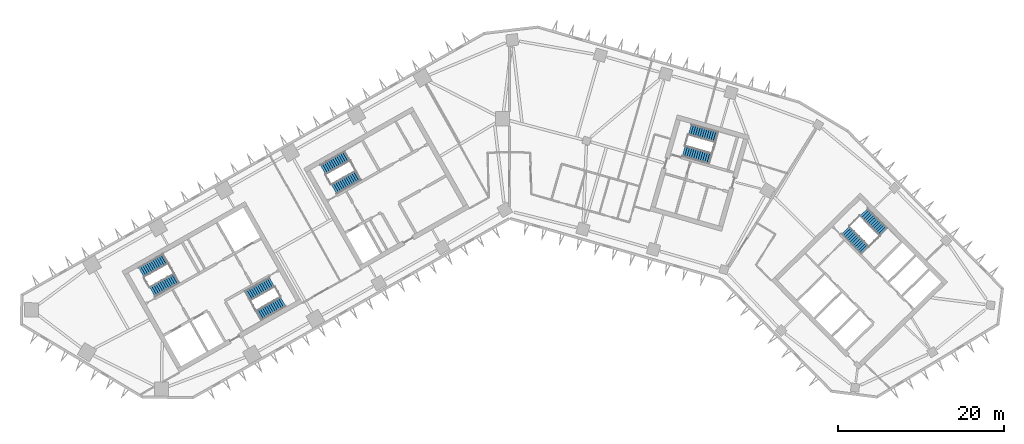
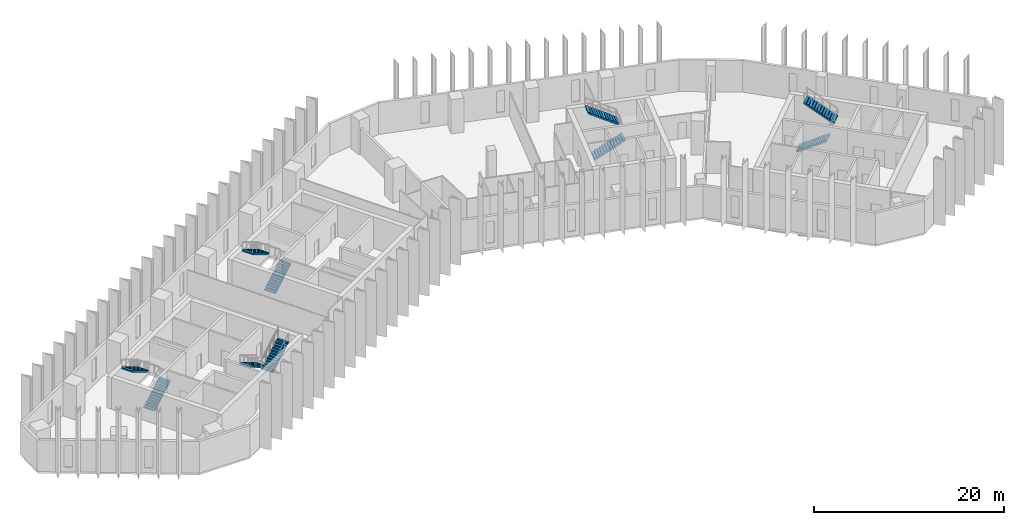
# One storey, part 8 of 11: 10 stair flights, 5 elements without a shape of their own.
"""IFC4 building model written with IfcOpenShell, lengths in metres."""

from ifc_helpers import new_model, si_unit, direction, frame, origin, place, context, subcontext, project, spatial, polyline, outline, extrude, material, type_object, element, aggregate, save


model = new_model("IFC4")

# Units and contexts
model_context = context("Model", 3, precision=1e-05, world=origin(), true_north=direction((0.0, 1.0)))
body_context = subcontext(model_context, "Body", "Model", "MODEL_VIEW")
ifc_project = project(units=[si_unit("LENGTHUNIT", "METRE"), si_unit("AREAUNIT", "SQUARE_METRE"), si_unit("VOLUMEUNIT", "CUBIC_METRE"), si_unit("PLANEANGLEUNIT", "RADIAN"), si_unit("MASSUNIT", "GRAM", prefix="KILO")], contexts=[model_context])

# Site, building, storey
site_placement = place(None, origin())
site = spatial("IfcSite", under=ifc_project, at=site_placement, CompositionType="ELEMENT")
building_placement = place(site_placement, origin())
building = spatial("IfcBuilding", under=site, at=building_placement, Name="Binnacle Exchange Tower", CompositionType="ELEMENT")
storey_placement = place(building_placement, frame((0.0, 0.0, 97.10009765625)))
storey = spatial("IfcBuildingStorey", under=building, at=storey_placement, Name="L19", CompositionType="ELEMENT", Elevation=97.10009765625)

# Stair, stair flights
ifc_material = material(Name="Concrete C35/45", Category="concrete")
stair_type = type_object("IfcStairType", Name="STAIR 26 RISERS 169", PredefinedType="HALF_TURN_STAIR", material=ifc_material)
stair_1_placement = place(storey_placement, origin())
stair_1 = element("IfcStair", 1, at=stair_1_placement, inside=storey, type_object=stair_type, Name="L19 Escape stair A1", PredefinedType="HALF_TURN_STAIR")
stair_flight_type = type_object("IfcStairFlightType", Name="STAIR FLIGHT 169X280", PredefinedType="STRAIGHT", material=ifc_material)
stair_flight_1_placement = place(storey_placement, frame((-42.9541015625, 39.17333984375, 0.0), z_axis=(0.0, 0.0, 1.0), x_axis=(0.870355584213, 0.492423757581, 0.0)))
stair_flight_1 = element("IfcStairFlight", 2, at=stair_flight_1_placement, type_object=stair_flight_type, Name="STA1 flight 1", NumberOfRisers=13, NumberOfTreads=12, PredefinedType="STRAIGHT", RiserHeight=0.169230769, TreadLength=0.28, context=body_context, shape_type="SweptSolid", body=[
    extrude(outline(polyline([(0.0, 0.0), (0.0, 0.169189453125), (0.280029296875, 0.169189453125), (0.280029296875, 0.33837890625), (0.56005859375, 0.33837890625), (0.56005859375, 0.5078125), (0.840087890625, 0.5078125), (0.840087890625, 0.677001953125), (1.1201171875, 0.677001953125), (1.1201171875, 0.84619140625), (1.39990234375, 0.84619140625), (1.39990234375, 1.015380859375), (1.679931640625, 1.015380859375), (1.679931640625, 1.1845703125), (1.9599609375, 1.1845703125), (1.9599609375, 1.353759765625), (2.239990234375, 1.353759765625), (2.239990234375, 1.523193359375), (2.52001953125, 1.523193359375), (2.52001953125, 1.6923828125), (2.800048828125, 1.6923828125), (2.800048828125, 1.861572265625), (3.080078125, 1.861572265625), (3.080078125, 2.03076171875), (3.360107421875, 2.03076171875), (3.360107421875, 2.199951171875), (3.360107421875, 1.855712890625), (0.289794921875, 0.0), (0.0, 0.0)])), frame((0.0, 0.675048828125, 0.0), z_axis=(0.0, -1.0, 0.0), x_axis=(1.0, 0.0, 0.0)), (0.0, 0.0, 1.0), 1.35009765625),
])
stair_flight_2_placement = place(storey_placement, frame((-41.359130859375, 43.177978515625, 2.199951171875), z_axis=(0.0, 0.0, 1.0), x_axis=(-0.870355584213, -0.492423757581, 0.0)))
stair_flight_2 = element("IfcStairFlight", 3, at=stair_flight_2_placement, type_object=stair_flight_type, Name="STA1 flight 2", NumberOfRisers=13, NumberOfTreads=12, PredefinedType="STRAIGHT", RiserHeight=0.169230769, TreadLength=0.28, context=body_context, shape_type="SweptSolid", body=[
    extrude(outline(polyline([(0.0, 0.0), (0.0, 0.169189453125), (0.280029296875, 0.169189453125), (0.280029296875, 0.33837890625), (0.56005859375, 0.33837890625), (0.56005859375, 0.5078125), (0.840087890625, 0.5078125), (0.840087890625, 0.677001953125), (1.1201171875, 0.677001953125), (1.1201171875, 0.84619140625), (1.39990234375, 0.84619140625), (1.39990234375, 1.015380859375), (1.679931640625, 1.015380859375), (1.679931640625, 1.1845703125), (1.9599609375, 1.1845703125), (1.9599609375, 1.353759765625), (2.239990234375, 1.353759765625), (2.239990234375, 1.523193359375), (2.52001953125, 1.523193359375), (2.52001953125, 1.6923828125), (2.800048828125, 1.6923828125), (2.800048828125, 1.861572265625), (3.080078125, 1.861572265625), (3.080078125, 2.03076171875), (3.360107421875, 2.03076171875), (3.360107421875, 2.199951171875), (3.360107421875, 1.855712890625), (0.289794921875, 0.0), (0.0, 0.0)])), frame((0.0, 0.675048828125, 0.0), z_axis=(0.0, -1.0, 0.0), x_axis=(1.0, 0.0, 0.0)), (0.0, 0.0, 1.0), 1.35009765625),
])
aggregate(stair_1, [stair_flight_1, stair_flight_2])

stair_2_placement = place(storey_placement, origin())
stair_2 = element("IfcStair", 4, at=stair_2_placement, inside=storey, type_object=stair_type, Name="L19 Escape stair A2", PredefinedType="HALF_TURN_STAIR")
stair_flight_3_placement = place(storey_placement, frame((-28.5732421875, 40.3583984375, 0.0), z_axis=(0.0, 0.0, 1.0), x_axis=(-0.870355584213, -0.492423757581, 0.0)))
stair_flight_3 = element("IfcStairFlight", 5, at=stair_flight_3_placement, type_object=stair_flight_type, Name="STA2 flight 1", NumberOfRisers=13, NumberOfTreads=12, PredefinedType="STRAIGHT", RiserHeight=0.169230769, TreadLength=0.28, context=body_context, shape_type="SweptSolid", body=[
    extrude(outline(polyline([(0.0, 0.0), (0.0, 0.169189453125), (0.280029296875, 0.169189453125), (0.280029296875, 0.33837890625), (0.56005859375, 0.33837890625), (0.56005859375, 0.5078125), (0.840087890625, 0.5078125), (0.840087890625, 0.677001953125), (1.1201171875, 0.677001953125), (1.1201171875, 0.84619140625), (1.39990234375, 0.84619140625), (1.39990234375, 1.015380859375), (1.679931640625, 1.015380859375), (1.679931640625, 1.1845703125), (1.9599609375, 1.1845703125), (1.9599609375, 1.353759765625), (2.239990234375, 1.353759765625), (2.239990234375, 1.523193359375), (2.52001953125, 1.523193359375), (2.52001953125, 1.6923828125), (2.800048828125, 1.6923828125), (2.800048828125, 1.861572265625), (3.080078125, 1.861572265625), (3.080078125, 2.03076171875), (3.360107421875, 2.03076171875), (3.360107421875, 2.199951171875), (3.360107421875, 1.855712890625), (0.289794921875, 0.0), (0.0, 0.0)])), frame((0.0, 0.675048828125, 0.0), z_axis=(0.0, -1.0, 0.0), x_axis=(1.0, 0.0, 0.0)), (0.0, 0.0, 1.0), 1.35009765625),
])
stair_flight_4_placement = place(storey_placement, frame((-30.16796875, 36.35400390625, 2.199951171875), z_axis=(0.0, 0.0, 1.0), x_axis=(0.870355584213, 0.492423757581, 0.0)))
stair_flight_4 = element("IfcStairFlight", 6, at=stair_flight_4_placement, type_object=stair_flight_type, Name="STA2 flight 2", NumberOfRisers=13, NumberOfTreads=12, PredefinedType="STRAIGHT", RiserHeight=0.169230769, TreadLength=0.28, context=body_context, shape_type="SweptSolid", body=[
    extrude(outline(polyline([(0.0, 0.0), (0.0, 0.169189453125), (0.280029296875, 0.169189453125), (0.280029296875, 0.33837890625), (0.56005859375, 0.33837890625), (0.56005859375, 0.5078125), (0.840087890625, 0.5078125), (0.840087890625, 0.677001953125), (1.1201171875, 0.677001953125), (1.1201171875, 0.84619140625), (1.39990234375, 0.84619140625), (1.39990234375, 1.015380859375), (1.679931640625, 1.015380859375), (1.679931640625, 1.1845703125), (1.9599609375, 1.1845703125), (1.9599609375, 1.353759765625), (2.239990234375, 1.353759765625), (2.239990234375, 1.523193359375), (2.52001953125, 1.523193359375), (2.52001953125, 1.6923828125), (2.800048828125, 1.6923828125), (2.800048828125, 1.861572265625), (3.080078125, 1.861572265625), (3.080078125, 2.03076171875), (3.360107421875, 2.03076171875), (3.360107421875, 2.199951171875), (3.360107421875, 1.855712890625), (0.289794921875, 0.0), (0.0, 0.0)])), frame((0.0, 0.675048828125, 0.0), z_axis=(0.0, -1.0, 0.0), x_axis=(1.0, 0.0, 0.0)), (0.0, 0.0, 1.0), 1.35009765625),
])
aggregate(stair_2, [stair_flight_3, stair_flight_4])

stair_3_placement = place(storey_placement, origin())
stair_3 = element("IfcStair", 7, at=stair_3_placement, inside=storey, type_object=stair_type, Name="L19 Escape stair B1", PredefinedType="HALF_TURN_STAIR")
stair_flight_5_placement = place(storey_placement, frame((40.376708984375, 46.608642578125, 0.0), z_axis=(0.0, 0.0, 1.0), x_axis=(0.70090935144, -0.713250363522, 0.0)))
stair_flight_5 = element("IfcStairFlight", 8, at=stair_flight_5_placement, type_object=stair_flight_type, Name="STB1 flight 1", NumberOfRisers=13, NumberOfTreads=12, PredefinedType="STRAIGHT", RiserHeight=0.169230769, TreadLength=0.28, context=body_context, shape_type="SweptSolid", body=[
    extrude(outline(polyline([(0.0, 0.0), (0.0, 0.169189453125), (0.280029296875, 0.169189453125), (0.280029296875, 0.33837890625), (0.56005859375, 0.33837890625), (0.56005859375, 0.5078125), (0.840087890625, 0.5078125), (0.840087890625, 0.677001953125), (1.1201171875, 0.677001953125), (1.1201171875, 0.84619140625), (1.39990234375, 0.84619140625), (1.39990234375, 1.015380859375), (1.679931640625, 1.015380859375), (1.679931640625, 1.1845703125), (1.9599609375, 1.1845703125), (1.9599609375, 1.353759765625), (2.239990234375, 1.353759765625), (2.239990234375, 1.523193359375), (2.52001953125, 1.523193359375), (2.52001953125, 1.6923828125), (2.800048828125, 1.6923828125), (2.800048828125, 1.861572265625), (3.080078125, 1.861572265625), (3.080078125, 2.03076171875), (3.360107421875, 2.03076171875), (3.360107421875, 2.199951171875), (3.360107421875, 1.855712890625), (0.289794921875, 0.0), (0.0, 0.0)])), frame((0.0, 0.675048828125, 0.0), z_axis=(0.0, -1.0, 0.0), x_axis=(1.0, 0.0, 0.0)), (0.0, 0.0, 1.0), 1.35009765625),
])
stair_flight_6_placement = place(storey_placement, frame((44.94287109375, 46.385009765625, 2.199951171875), z_axis=(0.0, 0.0, 1.0), x_axis=(-0.70090935144, 0.713250363522, 0.0)))
stair_flight_6 = element("IfcStairFlight", 9, at=stair_flight_6_placement, type_object=stair_flight_type, Name="STB1 flight 2", NumberOfRisers=13, NumberOfTreads=12, PredefinedType="STRAIGHT", RiserHeight=0.169230769, TreadLength=0.28, context=body_context, shape_type="SweptSolid", body=[
    extrude(outline(polyline([(0.0, 0.0), (0.0, 0.169189453125), (0.280029296875, 0.169189453125), (0.280029296875, 0.33837890625), (0.56005859375, 0.33837890625), (0.56005859375, 0.5078125), (0.840087890625, 0.5078125), (0.840087890625, 0.677001953125), (1.1201171875, 0.677001953125), (1.1201171875, 0.84619140625), (1.39990234375, 0.84619140625), (1.39990234375, 1.015380859375), (1.679931640625, 1.015380859375), (1.679931640625, 1.1845703125), (1.9599609375, 1.1845703125), (1.9599609375, 1.353759765625), (2.239990234375, 1.353759765625), (2.239990234375, 1.523193359375), (2.52001953125, 1.523193359375), (2.52001953125, 1.6923828125), (2.800048828125, 1.6923828125), (2.800048828125, 1.861572265625), (3.080078125, 1.861572265625), (3.080078125, 2.03076171875), (3.360107421875, 2.03076171875), (3.360107421875, 2.199951171875), (3.360107421875, 1.855712890625), (0.289794921875, 0.0), (0.0, 0.0)])), frame((0.0, 0.675048828125, 0.0), z_axis=(0.0, -1.0, 0.0), x_axis=(1.0, 0.0, 0.0)), (0.0, 0.0, 1.0), 1.35009765625),
])
aggregate(stair_3, [stair_flight_5, stair_flight_6])

stair_4_placement = place(storey_placement, origin())
stair_4 = element("IfcStair", 10, at=stair_4_placement, inside=storey, type_object=stair_type, Name="L19 Escape stair C1", PredefinedType="HALF_TURN_STAIR")
stair_flight_7_placement = place(storey_placement, frame((-21.115966796875, 51.528564453125, 0.0), z_axis=(0.0, 0.0, 1.0), x_axis=(0.870355584213, 0.492423757581, 0.0)))
stair_flight_7 = element("IfcStairFlight", 11, at=stair_flight_7_placement, type_object=stair_flight_type, Name="STC1 flight 1", NumberOfRisers=13, NumberOfTreads=12, PredefinedType="STRAIGHT", RiserHeight=0.169230769, TreadLength=0.28, context=body_context, shape_type="SweptSolid", body=[
    extrude(outline(polyline([(0.0, 0.0), (0.0, 0.169189453125), (0.280029296875, 0.169189453125), (0.280029296875, 0.33837890625), (0.56005859375, 0.33837890625), (0.56005859375, 0.5078125), (0.840087890625, 0.5078125), (0.840087890625, 0.677001953125), (1.1201171875, 0.677001953125), (1.1201171875, 0.84619140625), (1.39990234375, 0.84619140625), (1.39990234375, 1.015380859375), (1.679931640625, 1.015380859375), (1.679931640625, 1.1845703125), (1.9599609375, 1.1845703125), (1.9599609375, 1.353759765625), (2.239990234375, 1.353759765625), (2.239990234375, 1.523193359375), (2.52001953125, 1.523193359375), (2.52001953125, 1.6923828125), (2.800048828125, 1.6923828125), (2.800048828125, 1.861572265625), (3.080078125, 1.861572265625), (3.080078125, 2.03076171875), (3.360107421875, 2.03076171875), (3.360107421875, 2.199951171875), (3.360107421875, 1.855712890625), (0.289794921875, 0.0), (0.0, 0.0)])), frame((0.0, 0.675048828125, 0.0), z_axis=(0.0, -1.0, 0.0), x_axis=(1.0, 0.0, 0.0)), (0.0, 0.0, 1.0), 1.35009765625),
])
stair_flight_8_placement = place(storey_placement, frame((-19.521240234375, 55.533203125, 2.199951171875), z_axis=(0.0, 0.0, 1.0), x_axis=(-0.870355584213, -0.492423757581, 0.0)))
stair_flight_8 = element("IfcStairFlight", 12, at=stair_flight_8_placement, type_object=stair_flight_type, Name="STC1 flight 2", NumberOfRisers=13, NumberOfTreads=12, PredefinedType="STRAIGHT", RiserHeight=0.169230769, TreadLength=0.28, context=body_context, shape_type="SweptSolid", body=[
    extrude(outline(polyline([(0.0, 0.0), (0.0, 0.169189453125), (0.280029296875, 0.169189453125), (0.280029296875, 0.33837890625), (0.56005859375, 0.33837890625), (0.56005859375, 0.5078125), (0.840087890625, 0.5078125), (0.840087890625, 0.677001953125), (1.1201171875, 0.677001953125), (1.1201171875, 0.84619140625), (1.39990234375, 0.84619140625), (1.39990234375, 1.015380859375), (1.679931640625, 1.015380859375), (1.679931640625, 1.1845703125), (1.9599609375, 1.1845703125), (1.9599609375, 1.353759765625), (2.239990234375, 1.353759765625), (2.239990234375, 1.523193359375), (2.52001953125, 1.523193359375), (2.52001953125, 1.6923828125), (2.800048828125, 1.6923828125), (2.800048828125, 1.861572265625), (3.080078125, 1.861572265625), (3.080078125, 2.03076171875), (3.360107421875, 2.03076171875), (3.360107421875, 2.199951171875), (3.360107421875, 1.855712890625), (0.289794921875, 0.0), (0.0, 0.0)])), frame((0.0, 0.675048828125, 0.0), z_axis=(0.0, -1.0, 0.0), x_axis=(1.0, 0.0, 0.0)), (0.0, 0.0, 1.0), 1.35009765625),
])
aggregate(stair_4, [stair_flight_7, stair_flight_8])

stair_5_placement = place(storey_placement, origin())
stair_5 = element("IfcStair", 13, at=stair_5_placement, inside=storey, type_object=stair_type, Name="L19 Escape stair D1", PredefinedType="HALF_TURN_STAIR")
stair_flight_9_placement = place(storey_placement, frame((20.914306640625, 56.109619140625, 0.0), z_axis=(0.0, 0.0, 1.0), x_axis=(0.961261811397, -0.275636953165, 0.0)))
stair_flight_9 = element("IfcStairFlight", 14, at=stair_flight_9_placement, type_object=stair_flight_type, Name="STD1 flight 1", NumberOfRisers=13, NumberOfTreads=12, PredefinedType="STRAIGHT", RiserHeight=0.169230769, TreadLength=0.28, context=body_context, shape_type="SweptSolid", body=[
    extrude(outline(polyline([(0.0, 0.0), (0.0, 0.169189453125), (0.280029296875, 0.169189453125), (0.280029296875, 0.33837890625), (0.56005859375, 0.33837890625), (0.56005859375, 0.5078125), (0.840087890625, 0.5078125), (0.840087890625, 0.677001953125), (1.1201171875, 0.677001953125), (1.1201171875, 0.84619140625), (1.39990234375, 0.84619140625), (1.39990234375, 1.015380859375), (1.679931640625, 1.015380859375), (1.679931640625, 1.1845703125), (1.9599609375, 1.1845703125), (1.9599609375, 1.353759765625), (2.239990234375, 1.353759765625), (2.239990234375, 1.523193359375), (2.52001953125, 1.523193359375), (2.52001953125, 1.6923828125), (2.800048828125, 1.6923828125), (2.800048828125, 1.861572265625), (3.080078125, 1.861572265625), (3.080078125, 2.03076171875), (3.360107421875, 2.03076171875), (3.360107421875, 2.199951171875), (3.360107421875, 1.855712890625), (0.289794921875, 0.0), (0.0, 0.0)])), frame((0.0, 0.675048828125, 0.0), z_axis=(0.0, -1.0, 0.0), x_axis=(1.0, 0.0, 0.0)), (0.0, 0.0, 1.0), 1.35009765625),
])
stair_flight_10_placement = place(storey_placement, frame((24.888427734375, 57.77880859375, 2.199951171875), z_axis=(0.0, 0.0, 1.0), x_axis=(-0.961261811397, 0.275636953165, 0.0)))
stair_flight_10 = element("IfcStairFlight", 15, at=stair_flight_10_placement, type_object=stair_flight_type, Name="STD1 flight 2", NumberOfRisers=13, NumberOfTreads=12, PredefinedType="STRAIGHT", RiserHeight=0.169230769, TreadLength=0.28, context=body_context, shape_type="SweptSolid", body=[
    extrude(outline(polyline([(0.0, 0.0), (0.0, 0.169189453125), (0.280029296875, 0.169189453125), (0.280029296875, 0.33837890625), (0.56005859375, 0.33837890625), (0.56005859375, 0.5078125), (0.840087890625, 0.5078125), (0.840087890625, 0.677001953125), (1.1201171875, 0.677001953125), (1.1201171875, 0.84619140625), (1.39990234375, 0.84619140625), (1.39990234375, 1.015380859375), (1.679931640625, 1.015380859375), (1.679931640625, 1.1845703125), (1.9599609375, 1.1845703125), (1.9599609375, 1.353759765625), (2.239990234375, 1.353759765625), (2.239990234375, 1.523193359375), (2.52001953125, 1.523193359375), (2.52001953125, 1.6923828125), (2.800048828125, 1.6923828125), (2.800048828125, 1.861572265625), (3.080078125, 1.861572265625), (3.080078125, 2.03076171875), (3.360107421875, 2.03076171875), (3.360107421875, 2.199951171875), (3.360107421875, 1.855712890625), (0.289794921875, 0.0), (0.0, 0.0)])), frame((0.0, 0.675048828125, 0.0), z_axis=(0.0, -1.0, 0.0), x_axis=(1.0, 0.0, 0.0)), (0.0, 0.0, 1.0), 1.35009765625),
])
aggregate(stair_5, [stair_flight_9, stair_flight_10])

save(model, "model.ifc")
